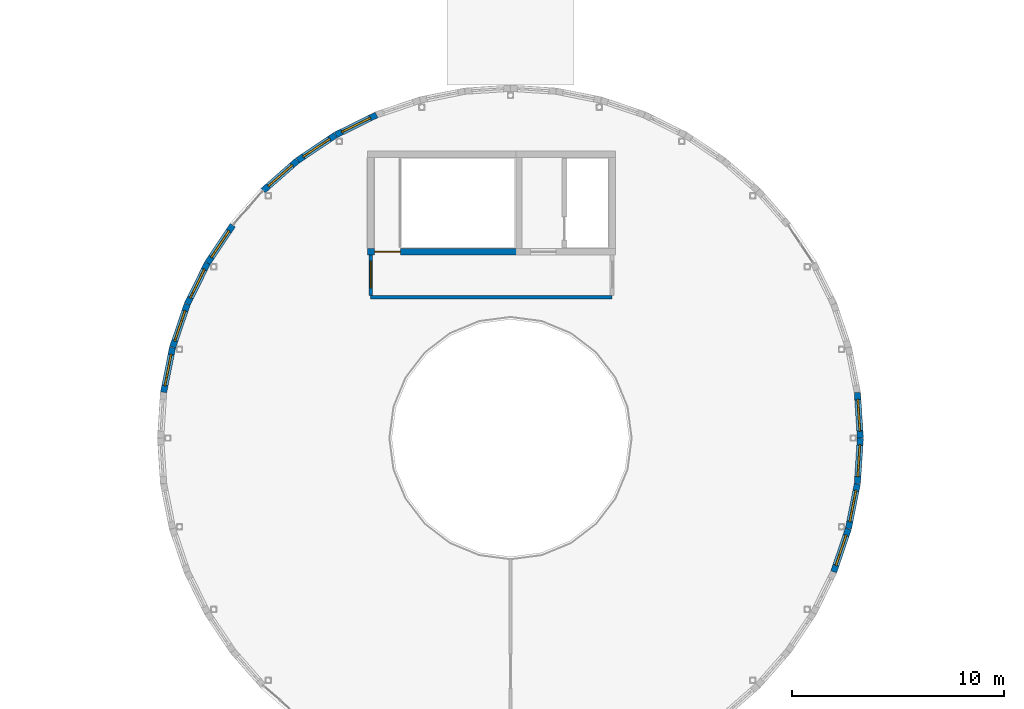
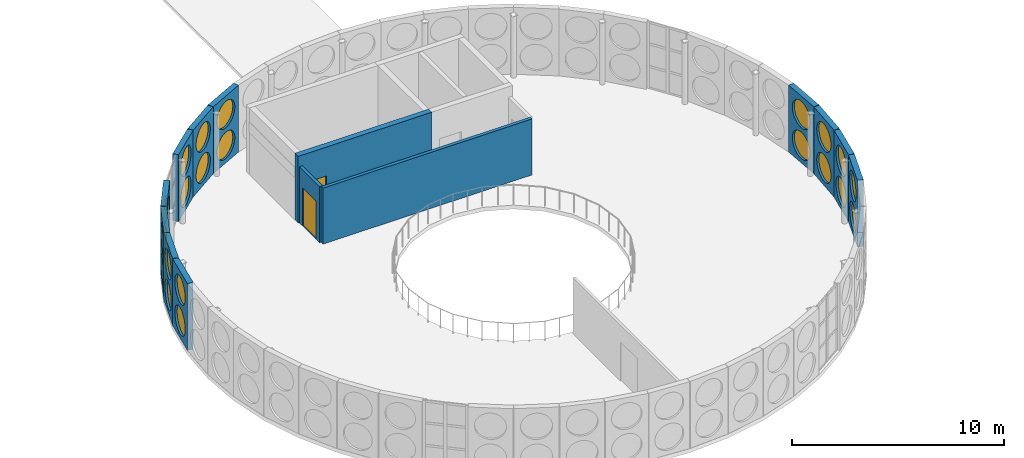
# One storey, part 87 of 114: 22 windows, 14 walls, 2 doors, 24 openings.
"""IFC4 building model written with IfcOpenShell, lengths in metres."""

import ifcopenshell
import ifcopenshell.guid

model = None  # the IFC model being written
_history = None  # IfcOwnerHistory: only IFC2X3 demands one
_inside = {}  # id of a spatial element -> (the spatial element, [elements in it])
_under = {}  # id of a project, library or spatial element -> (it, [spatial elements below it])
_declared = {}  # id of a project -> (the project, [libraries it declares])
_typed = {}  # id of a type object -> (the type object, [elements of that type])
_made_of = {}  # id of a material, layer set ... -> (it, [elements and type objects made of it])


def new_model(schema):
    """Start an empty IFC model of exactly this schema.

    Asked for "IFC4X3", IfcOpenShell would pick the latest addendum, in which some entities
    have other attributes; the version numbers below select the first issue.
    IFC2X3 requires an IfcOwnerHistory on every rooted entity: one is made here for all.
    """
    global model, _history
    if schema == "IFC4X3":
        model = ifcopenshell.file(schema_version=(4, 3, 0, 0))
    else:
        model = ifcopenshell.file(schema=schema)
    _inside.clear()
    _under.clear()
    _declared.clear()
    _typed.clear()
    _made_of.clear()
    _history = None
    if model.schema == "IFC2X3":
        org = make("IfcOrganization", Name="unknown")
        user = make(
            "IfcPersonAndOrganization",
            ThePerson=make("IfcPerson", FamilyName="unknown"),
            TheOrganization=org,
        )
        app = make(
            "IfcApplication",
            ApplicationDeveloper=org,
            Version="unknown",
            ApplicationFullName="unknown",
            ApplicationIdentifier="unknown",
        )
        _history = make(
            "IfcOwnerHistory",
            OwningUser=user,
            OwningApplication=app,
            ChangeAction="ADDED",
            CreationDate=0,
        )
    return model


def make(cls, **values):
    """One entity of the class cls with the attributes given. An attribute that is None is left unset."""
    return model.create_entity(
        cls, **{name: value for name, value in values.items() if value is not None}
    )


def rooted(cls, **values):
    """An entity with a GlobalId (a new one), such as an element, a storey or a relation."""
    return make(cls, GlobalId=ifcopenshell.guid.new(), OwnerHistory=_history, **values)


def si_unit(unit_type, name, prefix=None):
    """IfcSIUnit, for example si_unit("LENGTHUNIT", "METRE", prefix="MILLI")."""
    return make("IfcSIUnit", UnitType=unit_type, Prefix=prefix, Name=name)


def assignment(units):
    """IfcUnitAssignment: the units of a project."""
    return None if units is None else make("IfcUnitAssignment", Units=units)


def point(xyz):
    """IfcCartesianPoint."""
    return None if xyz is None else make("IfcCartesianPoint", Coordinates=xyz)


def direction(xyz):
    """IfcDirection."""
    return None if xyz is None else make("IfcDirection", DirectionRatios=xyz)


def frame(location, z_axis=None, x_axis=None):
    """IfcAxis2Placement3D, a coordinate frame: its origin and axes. An axis left out is left unset."""
    return make(
        "IfcAxis2Placement3D",
        Location=point(location),
        Axis=direction(z_axis),
        RefDirection=direction(x_axis),
    )


def frame_2d(location, x_axis=None):
    """IfcAxis2Placement2D, a coordinate frame in the plane: its origin and x axis."""
    return make(
        "IfcAxis2Placement2D", Location=point(location), RefDirection=direction(x_axis)
    )


def origin():
    """The frame at (0, 0, 0) with its axes left unset."""
    return frame((0.0, 0.0, 0.0))


def place(relative_to, where):
    """IfcLocalPlacement: puts the frame where relative to a parent placement (None: the world)."""
    return make(
        "IfcLocalPlacement", PlacementRelTo=relative_to, RelativePlacement=where
    )


def context(
    kind, dimensions, precision=None, world=None, true_north=None, identifier=None
):
    """IfcGeometricRepresentationContext, for example the 3D "Model" context."""
    return make(
        "IfcGeometricRepresentationContext",
        ContextIdentifier=identifier,
        ContextType=kind,
        CoordinateSpaceDimension=dimensions,
        Precision=precision,
        WorldCoordinateSystem=world,
        TrueNorth=true_north,
    )


def subcontext(parent, identifier, kind, view, scale=None):
    """IfcGeometricRepresentationSubContext, for example "Body" below "Model"."""
    return make(
        "IfcGeometricRepresentationSubContext",
        ContextIdentifier=identifier,
        ContextType=kind,
        ParentContext=parent,
        TargetScale=scale,
        TargetView=view,
    )


def project(units=None, contexts=None):
    """IfcProject with its units and contexts."""
    return rooted(
        "IfcProject",
        Name="project",
        RepresentationContexts=contexts,
        UnitsInContext=assignment(units),
    )


def spatial(cls, under=None, at=None, **own):
    """A site, building, storey or space (cls), placed at a placement, below another one or the project."""
    s = rooted(cls, ObjectPlacement=at, **own)
    if under is not None:
        _under.setdefault(under.id(), (under, []))[1].append(s)
    return s


def profile(cls, at=None, kind="AREA", **sizes):
    """A parametric profile (cls). Its sizes go by their IFC names, for example OverallWidth=200.0."""
    return make(cls, ProfileType=kind, Position=at, **sizes)


def rectangle(**sizes):
    """IfcRectangleProfileDef."""
    return profile("IfcRectangleProfileDef", **sizes)


def circle(**sizes):
    """IfcCircleProfileDef."""
    return profile("IfcCircleProfileDef", **sizes)


def extrude(swept, where, along, depth):
    """IfcExtrudedAreaSolid: the profile swept, set in the frame where, extruded along a direction by depth."""
    return make(
        "IfcExtrudedAreaSolid",
        SweptArea=swept,
        Position=where,
        ExtrudedDirection=direction(along),
        Depth=depth,
    )


def shape(context_of_items, identifier, shape_type, items):
    """IfcShapeRepresentation: the items that make up one representation, for example the "Body"."""
    return make(
        "IfcShapeRepresentation",
        ContextOfItems=context_of_items,
        RepresentationIdentifier=identifier,
        RepresentationType=shape_type,
        Items=items,
    )


def material(Name=None, Category=None):
    """IfcMaterial."""
    return make("IfcMaterial", Name=Name, Category=Category)


def layer(
    of_material, thickness, ventilated=None, Name=None, Category=None, Priority=None
):
    """IfcMaterialLayer: one layer of a wall or slab, of a material (None: an air gap)."""
    return make(
        "IfcMaterialLayer",
        Material=of_material,
        LayerThickness=thickness,
        IsVentilated=ventilated,
        Name=Name,
        Category=Category,
        Priority=Priority,
    )


def layer_set(layers, Name=None):
    """IfcMaterialLayerSet."""
    return make("IfcMaterialLayerSet", MaterialLayers=layers, LayerSetName=Name)


def made_of(thing, what):
    """Note that an element or type object is made of a material, layer set ...; save() writes the relation."""
    if what is not None:
        _made_of.setdefault(what.id(), (what, []))[1].append(thing)
    return thing


def type_object(cls, material=None, **own):
    """A type object (cls), such as IfcWallType, which elements share."""
    return made_of(rooted(cls, **own), material)


def element(
    cls,
    number,
    at=None,
    inside=None,
    cuts=None,
    type_object=None,
    material=None,
    context=None,
    identifier="Body",
    shape_type=None,
    held_by="IfcProductDefinitionShape",
    body=None,
    shapes=None,
    **own,
):
    """One element of the class cls, such as IfcWall. Its Tag is "e" and its number.

    at: its placement. inside: the storey or other place that contains it. cuts: it is an
    opening in that element (IfcRelVoidsElement). A single representation is given by context,
    identifier, shape_type and body (its items); several are given by shapes. held_by: the class
    of the entity that holds the representations. save() writes the other relations.
    """
    e = rooted(cls, Tag="e%d" % number, ObjectPlacement=at, **own)
    if body is not None:
        shapes = [shape(context, identifier, shape_type, body)]
    if shapes is not None:
        e.Representation = make(held_by, Representations=shapes)
    if inside is not None:
        _inside.setdefault(inside.id(), (inside, []))[1].append(e)
    if cuts is not None:
        rooted(
            "IfcRelVoidsElement", RelatingBuildingElement=cuts, RelatedOpeningElement=e
        )
    if type_object is not None:
        _typed.setdefault(type_object.id(), (type_object, []))[1].append(e)
    return made_of(e, material)


def fill(opening, filler):
    """IfcRelFillsElement: the door or window that sits in an opening."""
    return rooted(
        "IfcRelFillsElement",
        RelatingOpeningElement=opening,
        RelatedBuildingElement=filler,
    )


def aggregate(whole, parts):
    """IfcRelAggregates: a whole, such as a stair, and the parts it consists of."""
    return rooted("IfcRelAggregates", RelatingObject=whole, RelatedObjects=parts)


def save(model, path):
    """Write the relations noted so far, then the file.

    IfcRelAggregates (storeys below a building ...), IfcRelContainedInSpatialStructure (elements
    in a storey), IfcRelDefinesByType, IfcRelAssociatesMaterial and IfcRelDeclares: one each for
    every whole, place, type object, material and project.
    """
    for whole, parts in _under.values():
        aggregate(whole, parts)
    for where, things in _inside.values():
        rooted(
            "IfcRelContainedInSpatialStructure",
            RelatedElements=things,
            RelatingStructure=where,
        )
    for kind, things in _typed.values():
        rooted("IfcRelDefinesByType", RelatedObjects=things, RelatingType=kind)
    for what, things in _made_of.values():
        rooted("IfcRelAssociatesMaterial", RelatedObjects=things, RelatingMaterial=what)
    for by, libraries in _declared.values():
        rooted("IfcRelDeclares", RelatingContext=by, RelatedDefinitions=libraries)
    model.write(path)


model = new_model("IFC4")

# Units and contexts
model_context = context("Model", 3, precision=1e-05, world=origin(), true_north=direction((0.0, 1.0)))
body_context = subcontext(model_context, "Body", "Model", "MODEL_VIEW")
ifc_project = project(units=[si_unit("LENGTHUNIT", "METRE"), si_unit("AREAUNIT", "SQUARE_METRE"), si_unit("VOLUMEUNIT", "CUBIC_METRE"), si_unit("PLANEANGLEUNIT", "RADIAN"), si_unit("MASSUNIT", "GRAM", prefix="KILO")], contexts=[model_context])

# Site, building, storey
site_placement = place(None, origin())
site = spatial("IfcSite", under=ifc_project, at=site_placement, CompositionType="ELEMENT")
building_placement = place(site_placement, origin())
building = spatial("IfcBuilding", under=site, at=building_placement, Name="Montecoro Central Library", CompositionType="ELEMENT")
storey_placement = place(building_placement, frame((0.0, 0.0, 13.260009765625)))
storey = spatial("IfcBuildingStorey", under=building, at=storey_placement, Name="L03", CompositionType="ELEMENT", Elevation=13.260009765625)

# Wall, openings, windows
ifc_material_1 = material(Name="Travertine Roman Stone and concrete C35/45", Category="masonry")
ifc_layer_1 = layer(ifc_material_1, 0.294921875)
ifc_layer_set_1 = layer_set([ifc_layer_1], Name="Travertine Roman Stone and concrete C35/45")
wall_type_1 = type_object("IfcWallType", Name="EW-DRM-295", PredefinedType="SOLIDWALL", material=ifc_layer_set_1)
wall_1_placement = place(storey_placement, frame((108.118896484375, 35.407958984375, 0.0), z_axis=(0.0, 0.0, 1.0), x_axis=(-0.064773567518, 0.997899987449, 0.0)))
wall_1 = element("IfcWall", 1, at=wall_1_placement, inside=storey, type_object=wall_type_1, Name="V1-L03-EW-01", PredefinedType="SOLIDWALL", context=body_context, shape_type="SweptSolid", body=[
    extrude(rectangle(XDim=2.14453125, YDim=0.294921875, at=frame_2d((1.072265625, 0.0))), origin(), (0.0, 0.0, 1.0), 3.85498046875),
])
opening_1_placement = place(wall_1_placement, frame((0.31201171875, 0.0, 0.25)))
opening_1 = element("IfcOpeningElement", 2, at=opening_1_placement, cuts=wall_1, Name="Opening WP-05", PredefinedType="OPENING", context=body_context, shape_type="SweptSolid", body=[
    extrude(circle(Radius=0.760009765625, at=frame_2d((0.760009765625, 0.760009765625))), frame((0.0, 0.157470703125, 0.0), z_axis=(0.0, -1.0, 0.0), x_axis=(1.0, 0.0, 0.0)), (0.0, 0.0, 1.0), 0.31494140625),
])
opening_2_placement = place(wall_1_placement, frame((0.31201171875, 0.0, 2.030029296875)))
opening_2 = element("IfcOpeningElement", 3, at=opening_2_placement, cuts=wall_1, Name="Opening WP-06", PredefinedType="OPENING", context=body_context, shape_type="SweptSolid", body=[
    extrude(circle(Radius=0.760009765625, at=frame_2d((0.760009765625, 0.760009765625))), frame((0.0, 0.157470703125, 0.0), z_axis=(0.0, -1.0, 0.0), x_axis=(1.0, 0.0, 0.0)), (0.0, 0.0, 1.0), 0.31494140625),
])
ifc_material_2 = material(Name="Clear sky-blue low-E laminated glazing", Category="glass")
window_type_1 = type_object("IfcWindowType", Name="WN-POR-CLR-152", PartitioningType="SINGLE_PANEL", PredefinedType="WINDOW", material=ifc_material_2)
window_1_placement = place(opening_1_placement, origin())
window_1 = element("IfcWindow", 4, at=window_1_placement, inside=storey, type_object=window_type_1, Name="V1-L03-WP-01-1", OverallHeight=1.52001953125, OverallWidth=1.52001953125, PartitioningType="SINGLE_PANEL", PredefinedType="WINDOW", context=body_context, shape_type="SweptSolid", body=[
    extrude(circle(Radius=0.760009765625, at=frame_2d((0.760009765625, 0.760009765625))), frame((0.0, 0.030029296875, 0.0), z_axis=(0.0, -1.0, 0.0), x_axis=(1.0, 0.0, 0.0)), (0.0, 0.0, 1.0), 0.06005859375),
])
fill(opening_1, window_1)
ifc_material_3 = material(Name="Frosted pearl-white ceramic-fritted glazing", Category="glass")
window_type_2 = type_object("IfcWindowType", Name="WN-POR-FRT-152", PartitioningType="SINGLE_PANEL", PredefinedType="WINDOW", material=ifc_material_3)
window_2_placement = place(opening_2_placement, origin())
window_2 = element("IfcWindow", 5, at=window_2_placement, inside=storey, type_object=window_type_2, Name="V1-L03-WP-01-2", OverallHeight=1.52001953125, OverallWidth=1.52001953125, PartitioningType="SINGLE_PANEL", PredefinedType="WINDOW", context=body_context, shape_type="SweptSolid", body=[
    extrude(circle(Radius=0.760009765625, at=frame_2d((0.760009765625, 0.760009765625))), frame((0.0, 0.030029296875, 0.0), z_axis=(0.0, -1.0, 0.0), x_axis=(1.0, 0.0, 0.0)), (0.0, 0.0, 1.0), 0.06005859375),
])
fill(opening_2, window_2)

wall_2_placement = place(storey_placement, frame((85.27099609375, 50.657958984375, 0.0), z_axis=(0.0, 0.0, 1.0), x_axis=(-0.897210232885, -0.441603666205, 0.0)))
wall_2 = element("IfcWall", 6, at=wall_2_placement, inside=storey, type_object=wall_type_1, Name="V1-L03-EW-16", PredefinedType="SOLIDWALL", context=body_context, shape_type="SweptSolid", body=[
    extrude(rectangle(XDim=2.14453125, YDim=0.294921875, at=frame_2d((1.072265625, 0.0))), origin(), (0.0, 0.0, 1.0), 3.85498046875),
])
opening_3_placement = place(wall_2_placement, frame((0.31201171875, 0.0, 0.25)))
opening_3 = element("IfcOpeningElement", 7, at=opening_3_placement, cuts=wall_2, Name="Opening WP-06", PredefinedType="OPENING", context=body_context, shape_type="SweptSolid", body=[
    extrude(circle(Radius=0.760009765625, at=frame_2d((0.760009765625, 0.760009765625))), frame((0.0, 0.157470703125, 0.0), z_axis=(0.0, -1.0, 0.0), x_axis=(1.0, 0.0, 0.0)), (0.0, 0.0, 1.0), 0.31494140625),
])
opening_4_placement = place(wall_2_placement, frame((0.31201171875, 0.0, 2.030029296875)))
opening_4 = element("IfcOpeningElement", 8, at=opening_4_placement, cuts=wall_2, Name="Opening WP-05", PredefinedType="OPENING", context=body_context, shape_type="SweptSolid", body=[
    extrude(circle(Radius=0.760009765625, at=frame_2d((0.760009765625, 0.760009765625))), frame((0.0, 0.157470703125, 0.0), z_axis=(0.0, -1.0, 0.0), x_axis=(1.0, 0.0, 0.0)), (0.0, 0.0, 1.0), 0.31494140625),
])
window_3_placement = place(opening_4_placement, origin())
window_3 = element("IfcWindow", 9, at=window_3_placement, inside=storey, type_object=window_type_1, Name="V1-L03-WP-16-2", OverallHeight=1.52001953125, OverallWidth=1.52001953125, PartitioningType="SINGLE_PANEL", PredefinedType="WINDOW", context=body_context, shape_type="SweptSolid", body=[
    extrude(circle(Radius=0.760009765625, at=frame_2d((0.760009765625, 0.760009765625))), frame((0.0, 0.030029296875, 0.0), z_axis=(0.0, -1.0, 0.0), x_axis=(1.0, 0.0, 0.0)), (0.0, 0.0, 1.0), 0.06005859375),
])
fill(opening_4, window_3)
window_4_placement = place(opening_3_placement, origin())
window_4 = element("IfcWindow", 10, at=window_4_placement, inside=storey, type_object=window_type_2, Name="V1-L03-WP-16-1", OverallHeight=1.52001953125, OverallWidth=1.52001953125, PartitioningType="SINGLE_PANEL", PredefinedType="WINDOW", context=body_context, shape_type="SweptSolid", body=[
    extrude(circle(Radius=0.760009765625, at=frame_2d((0.760009765625, 0.760009765625))), frame((0.0, 0.030029296875, 0.0), z_axis=(0.0, -1.0, 0.0), x_axis=(1.0, 0.0, 0.0)), (0.0, 0.0, 1.0), 0.06005859375),
])
fill(opening_3, window_4)

wall_3_placement = place(storey_placement, frame((83.3330078125, 49.702880859375, 0.0), z_axis=(0.0, 0.0, 1.0), x_axis=(-0.831138710759, -0.556065143197, 0.0)))
wall_3 = element("IfcWall", 11, at=wall_3_placement, inside=storey, type_object=wall_type_1, Name="V1-L03-EW-17", PredefinedType="SOLIDWALL", context=body_context, shape_type="SweptSolid", body=[
    extrude(rectangle(XDim=2.145263671875, YDim=0.294921875, at=frame_2d((1.07275390625, 0.0))), origin(), (0.0, 0.0, 1.0), 3.85498046875),
])
opening_5_placement = place(wall_3_placement, frame((0.31298828125, 0.0, 0.25)))
opening_5 = element("IfcOpeningElement", 12, at=opening_5_placement, cuts=wall_3, Name="Opening WP-05", PredefinedType="OPENING", context=body_context, shape_type="SweptSolid", body=[
    extrude(circle(Radius=0.760009765625, at=frame_2d((0.760009765625, 0.760009765625))), frame((0.0, 0.157470703125, 0.0), z_axis=(0.0, -1.0, 0.0), x_axis=(1.0, 0.0, 0.0)), (0.0, 0.0, 1.0), 0.31494140625),
])
opening_6_placement = place(wall_3_placement, frame((0.31298828125, 0.0, 2.030029296875)))
opening_6 = element("IfcOpeningElement", 13, at=opening_6_placement, cuts=wall_3, Name="Opening WP-06", PredefinedType="OPENING", context=body_context, shape_type="SweptSolid", body=[
    extrude(circle(Radius=0.760009765625, at=frame_2d((0.760009765625, 0.760009765625))), frame((0.0, 0.157470703125, 0.0), z_axis=(0.0, -1.0, 0.0), x_axis=(1.0, 0.0, 0.0)), (0.0, 0.0, 1.0), 0.31494140625),
])
window_5_placement = place(opening_5_placement, origin())
window_5 = element("IfcWindow", 14, at=window_5_placement, inside=storey, type_object=window_type_1, Name="V1-L03-WP-17-1", OverallHeight=1.52001953125, OverallWidth=1.52001953125, PartitioningType="SINGLE_PANEL", PredefinedType="WINDOW", context=body_context, shape_type="SweptSolid", body=[
    extrude(circle(Radius=0.760009765625, at=frame_2d((0.760009765625, 0.760009765625))), frame((0.0, 0.030029296875, 0.0), z_axis=(0.0, -1.0, 0.0), x_axis=(1.0, 0.0, 0.0)), (0.0, 0.0, 1.0), 0.06005859375),
])
fill(opening_5, window_5)
window_6_placement = place(opening_6_placement, origin())
window_6 = element("IfcWindow", 15, at=window_6_placement, inside=storey, type_object=window_type_2, Name="V1-L03-WP-17-2", OverallHeight=1.52001953125, OverallWidth=1.52001953125, PartitioningType="SINGLE_PANEL", PredefinedType="WINDOW", context=body_context, shape_type="SweptSolid", body=[
    extrude(circle(Radius=0.760009765625, at=frame_2d((0.760009765625, 0.760009765625))), frame((0.0, 0.030029296875, 0.0), z_axis=(0.0, -1.0, 0.0), x_axis=(1.0, 0.0, 0.0)), (0.0, 0.0, 1.0), 0.06005859375),
])
fill(opening_6, window_6)

wall_4_placement = place(storey_placement, frame((81.537109375, 48.5009765625, 0.0), z_axis=(0.0, 0.0, 1.0), x_axis=(-0.751539314958, -0.659688303725, 0.0)))
wall_4 = element("IfcWall", 16, at=wall_4_placement, inside=storey, type_object=wall_type_1, Name="V1-L03-EW-18", PredefinedType="SOLIDWALL", context=body_context, shape_type="SweptSolid", body=[
    extrude(rectangle(XDim=2.14501953125, YDim=0.294921875, at=frame_2d((1.072509765625, 0.0))), origin(), (0.0, 0.0, 1.0), 3.85498046875),
])
opening_7_placement = place(wall_4_placement, frame((0.31201171875, 0.0, 0.25)))
opening_7 = element("IfcOpeningElement", 17, at=opening_7_placement, cuts=wall_4, Name="Opening WP-06", PredefinedType="OPENING", context=body_context, shape_type="SweptSolid", body=[
    extrude(circle(Radius=0.760009765625, at=frame_2d((0.760009765625, 0.760009765625))), frame((0.0, 0.157470703125, 0.0), z_axis=(0.0, -1.0, 0.0), x_axis=(1.0, 0.0, 0.0)), (0.0, 0.0, 1.0), 0.31494140625),
])
opening_8_placement = place(wall_4_placement, frame((0.31201171875, 0.0, 2.030029296875)))
opening_8 = element("IfcOpeningElement", 18, at=opening_8_placement, cuts=wall_4, Name="Opening WP-05", PredefinedType="OPENING", context=body_context, shape_type="SweptSolid", body=[
    extrude(circle(Radius=0.760009765625, at=frame_2d((0.760009765625, 0.760009765625))), frame((0.0, 0.157470703125, 0.0), z_axis=(0.0, -1.0, 0.0), x_axis=(1.0, 0.0, 0.0)), (0.0, 0.0, 1.0), 0.31494140625),
])
window_7_placement = place(opening_8_placement, origin())
window_7 = element("IfcWindow", 19, at=window_7_placement, inside=storey, type_object=window_type_1, Name="V1-L03-WP-18-2", OverallHeight=1.52001953125, OverallWidth=1.52001953125, PartitioningType="SINGLE_PANEL", PredefinedType="WINDOW", context=body_context, shape_type="SweptSolid", body=[
    extrude(circle(Radius=0.760009765625, at=frame_2d((0.760009765625, 0.760009765625))), frame((0.0, 0.030029296875, 0.0), z_axis=(0.0, -1.0, 0.0), x_axis=(1.0, 0.0, 0.0)), (0.0, 0.0, 1.0), 0.06005859375),
])
fill(opening_8, window_7)
window_8_placement = place(opening_7_placement, origin())
window_8 = element("IfcWindow", 20, at=window_8_placement, inside=storey, type_object=window_type_2, Name="V1-L03-WP-18-1", OverallHeight=1.52001953125, OverallWidth=1.52001953125, PartitioningType="SINGLE_PANEL", PredefinedType="WINDOW", context=body_context, shape_type="SweptSolid", body=[
    extrude(circle(Radius=0.760009765625, at=frame_2d((0.760009765625, 0.760009765625))), frame((0.0, 0.030029296875, 0.0), z_axis=(0.0, -1.0, 0.0), x_axis=(1.0, 0.0, 0.0)), (0.0, 0.0, 1.0), 0.06005859375),
])
fill(opening_7, window_8)

wall_5_placement = place(storey_placement, frame((78.489990234375, 45.449951171875, 0.0), z_axis=(0.0, 0.0, 1.0), x_axis=(-0.556065143197, -0.831138710759, 0.0)))
wall_5 = element("IfcWall", 21, at=wall_5_placement, inside=storey, type_object=wall_type_1, Name="V1-L03-EW-20", PredefinedType="SOLIDWALL", context=body_context, shape_type="SweptSolid", body=[
    extrude(rectangle(XDim=2.145263671875, YDim=0.294921875, at=frame_2d((1.07275390625, 0.0))), origin(), (0.0, 0.0, 1.0), 3.85498046875),
])
opening_9_placement = place(wall_5_placement, frame((0.31298828125, 0.0, 0.25)))
opening_9 = element("IfcOpeningElement", 22, at=opening_9_placement, cuts=wall_5, Name="Opening WP-06", PredefinedType="OPENING", context=body_context, shape_type="SweptSolid", body=[
    extrude(circle(Radius=0.760009765625, at=frame_2d((0.760009765625, 0.760009765625))), frame((0.0, 0.157470703125, 0.0), z_axis=(0.0, -1.0, 0.0), x_axis=(1.0, 0.0, 0.0)), (0.0, 0.0, 1.0), 0.31494140625),
])
opening_10_placement = place(wall_5_placement, frame((0.31298828125, 0.0, 2.030029296875)))
opening_10 = element("IfcOpeningElement", 23, at=opening_10_placement, cuts=wall_5, Name="Opening WP-05", PredefinedType="OPENING", context=body_context, shape_type="SweptSolid", body=[
    extrude(circle(Radius=0.760009765625, at=frame_2d((0.760009765625, 0.760009765625))), frame((0.0, 0.157470703125, 0.0), z_axis=(0.0, -1.0, 0.0), x_axis=(1.0, 0.0, 0.0)), (0.0, 0.0, 1.0), 0.31494140625),
])
window_9_placement = place(opening_10_placement, origin())
window_9 = element("IfcWindow", 24, at=window_9_placement, inside=storey, type_object=window_type_1, Name="V1-L03-WP-20-2", OverallHeight=1.52001953125, OverallWidth=1.52001953125, PartitioningType="SINGLE_PANEL", PredefinedType="WINDOW", context=body_context, shape_type="SweptSolid", body=[
    extrude(circle(Radius=0.760009765625, at=frame_2d((0.760009765625, 0.760009765625))), frame((0.0, 0.030029296875, 0.0), z_axis=(0.0, -1.0, 0.0), x_axis=(1.0, 0.0, 0.0)), (0.0, 0.0, 1.0), 0.06005859375),
])
fill(opening_10, window_9)
window_10_placement = place(opening_9_placement, origin())
window_10 = element("IfcWindow", 25, at=window_10_placement, inside=storey, type_object=window_type_2, Name="V1-L03-WP-20-1", OverallHeight=1.52001953125, OverallWidth=1.52001953125, PartitioningType="SINGLE_PANEL", PredefinedType="WINDOW", context=body_context, shape_type="SweptSolid", body=[
    extrude(circle(Radius=0.760009765625, at=frame_2d((0.760009765625, 0.760009765625))), frame((0.0, 0.030029296875, 0.0), z_axis=(0.0, -1.0, 0.0), x_axis=(1.0, 0.0, 0.0)), (0.0, 0.0, 1.0), 0.06005859375),
])
fill(opening_9, window_10)

wall_6_placement = place(storey_placement, frame((77.2890625, 43.653076171875, 0.0), z_axis=(0.0, 0.0, 1.0), x_axis=(-0.441603666205, -0.897210232885, 0.0)))
wall_6 = element("IfcWall", 26, at=wall_6_placement, inside=storey, type_object=wall_type_1, Name="V1-L03-EW-21", PredefinedType="SOLIDWALL", context=body_context, shape_type="SweptSolid", body=[
    extrude(rectangle(XDim=2.14453125, YDim=0.294921875, at=frame_2d((1.072265625, 0.0))), origin(), (0.0, 0.0, 1.0), 3.85498046875),
])
opening_11_placement = place(wall_6_placement, frame((0.31201171875, 0.0, 0.25)))
opening_11 = element("IfcOpeningElement", 27, at=opening_11_placement, cuts=wall_6, Name="Opening WP-05", PredefinedType="OPENING", context=body_context, shape_type="SweptSolid", body=[
    extrude(circle(Radius=0.760009765625, at=frame_2d((0.760009765625, 0.760009765625))), frame((0.0, 0.157470703125, 0.0), z_axis=(0.0, -1.0, 0.0), x_axis=(1.0, 0.0, 0.0)), (0.0, 0.0, 1.0), 0.31494140625),
])
opening_12_placement = place(wall_6_placement, frame((0.31201171875, 0.0, 2.030029296875)))
opening_12 = element("IfcOpeningElement", 28, at=opening_12_placement, cuts=wall_6, Name="Opening WP-06", PredefinedType="OPENING", context=body_context, shape_type="SweptSolid", body=[
    extrude(circle(Radius=0.760009765625, at=frame_2d((0.760009765625, 0.760009765625))), frame((0.0, 0.157470703125, 0.0), z_axis=(0.0, -1.0, 0.0), x_axis=(1.0, 0.0, 0.0)), (0.0, 0.0, 1.0), 0.31494140625),
])
window_11_placement = place(opening_11_placement, origin())
window_11 = element("IfcWindow", 29, at=window_11_placement, inside=storey, type_object=window_type_1, Name="V1-L03-WP-21-1", OverallHeight=1.52001953125, OverallWidth=1.52001953125, PartitioningType="SINGLE_PANEL", PredefinedType="WINDOW", context=body_context, shape_type="SweptSolid", body=[
    extrude(circle(Radius=0.760009765625, at=frame_2d((0.760009765625, 0.760009765625))), frame((0.0, 0.030029296875, 0.0), z_axis=(0.0, -1.0, 0.0), x_axis=(1.0, 0.0, 0.0)), (0.0, 0.0, 1.0), 0.06005859375),
])
fill(opening_11, window_11)
window_12_placement = place(opening_12_placement, origin())
window_12 = element("IfcWindow", 30, at=window_12_placement, inside=storey, type_object=window_type_2, Name="V1-L03-WP-21-2", OverallHeight=1.52001953125, OverallWidth=1.52001953125, PartitioningType="SINGLE_PANEL", PredefinedType="WINDOW", context=body_context, shape_type="SweptSolid", body=[
    extrude(circle(Radius=0.760009765625, at=frame_2d((0.760009765625, 0.760009765625))), frame((0.0, 0.030029296875, 0.0), z_axis=(0.0, -1.0, 0.0), x_axis=(1.0, 0.0, 0.0)), (0.0, 0.0, 1.0), 0.06005859375),
])
fill(opening_12, window_12)

wall_7_placement = place(storey_placement, frame((76.3349609375, 41.714111328125, 0.0), z_axis=(0.0, 0.0, 1.0), x_axis=(-0.321382058047, -0.946949614692, 0.0)))
wall_7 = element("IfcWall", 31, at=wall_7_placement, inside=storey, type_object=wall_type_1, Name="V1-L03-EW-22", PredefinedType="SOLIDWALL", context=body_context, shape_type="SweptSolid", body=[
    extrude(rectangle(XDim=2.143798828125, YDim=0.294921875, at=frame_2d((1.07177734375, 0.0))), origin(), (0.0, 0.0, 1.0), 3.85498046875),
])
opening_13_placement = place(wall_7_placement, frame((0.31201171875, 0.0, 0.25)))
opening_13 = element("IfcOpeningElement", 32, at=opening_13_placement, cuts=wall_7, Name="Opening WP-06", PredefinedType="OPENING", context=body_context, shape_type="SweptSolid", body=[
    extrude(circle(Radius=0.760009765625, at=frame_2d((0.760009765625, 0.760009765625))), frame((0.0, 0.157470703125, 0.0), z_axis=(0.0, -1.0, 0.0), x_axis=(1.0, 0.0, 0.0)), (0.0, 0.0, 1.0), 0.31494140625),
])
opening_14_placement = place(wall_7_placement, frame((0.31201171875, 0.0, 2.030029296875)))
opening_14 = element("IfcOpeningElement", 33, at=opening_14_placement, cuts=wall_7, Name="Opening WP-05", PredefinedType="OPENING", context=body_context, shape_type="SweptSolid", body=[
    extrude(circle(Radius=0.760009765625, at=frame_2d((0.760009765625, 0.760009765625))), frame((0.0, 0.157470703125, 0.0), z_axis=(0.0, -1.0, 0.0), x_axis=(1.0, 0.0, 0.0)), (0.0, 0.0, 1.0), 0.31494140625),
])
window_13_placement = place(opening_14_placement, origin())
window_13 = element("IfcWindow", 34, at=window_13_placement, inside=storey, type_object=window_type_1, Name="V1-L03-WP-22-2", OverallHeight=1.52001953125, OverallWidth=1.52001953125, PartitioningType="SINGLE_PANEL", PredefinedType="WINDOW", context=body_context, shape_type="SweptSolid", body=[
    extrude(circle(Radius=0.760009765625, at=frame_2d((0.760009765625, 0.760009765625))), frame((0.0, 0.030029296875, 0.0), z_axis=(0.0, -1.0, 0.0), x_axis=(1.0, 0.0, 0.0)), (0.0, 0.0, 1.0), 0.06005859375),
])
fill(opening_14, window_13)
window_14_placement = place(opening_13_placement, origin())
window_14 = element("IfcWindow", 35, at=window_14_placement, inside=storey, type_object=window_type_2, Name="V1-L03-WP-22-1", OverallHeight=1.52001953125, OverallWidth=1.52001953125, PartitioningType="SINGLE_PANEL", PredefinedType="WINDOW", context=body_context, shape_type="SweptSolid", body=[
    extrude(circle(Radius=0.760009765625, at=frame_2d((0.760009765625, 0.760009765625))), frame((0.0, 0.030029296875, 0.0), z_axis=(0.0, -1.0, 0.0), x_axis=(1.0, 0.0, 0.0)), (0.0, 0.0, 1.0), 0.06005859375),
])
fill(opening_13, window_14)

wall_8_placement = place(storey_placement, frame((75.64111328125, 39.66796875, 0.0), z_axis=(0.0, 0.0, 1.0), x_axis=(-0.194956014446, -0.98081198628, 0.0)))
wall_8 = element("IfcWall", 36, at=wall_8_placement, inside=storey, type_object=wall_type_1, Name="V1-L03-EW-23", PredefinedType="SOLIDWALL", context=body_context, shape_type="SweptSolid", body=[
    extrude(rectangle(XDim=2.145263671875, YDim=0.294921875, at=frame_2d((1.07275390625, 0.0))), origin(), (0.0, 0.0, 1.0), 3.85498046875),
])
opening_15_placement = place(wall_8_placement, frame((0.31298828125, 0.0, 0.25)))
opening_15 = element("IfcOpeningElement", 37, at=opening_15_placement, cuts=wall_8, Name="Opening WP-05", PredefinedType="OPENING", context=body_context, shape_type="SweptSolid", body=[
    extrude(circle(Radius=0.760009765625, at=frame_2d((0.760009765625, 0.760009765625))), frame((0.0, 0.157470703125, 0.0), z_axis=(0.0, -1.0, 0.0), x_axis=(1.0, 0.0, 0.0)), (0.0, 0.0, 1.0), 0.31494140625),
])
opening_16_placement = place(wall_8_placement, frame((0.31298828125, 0.0, 2.030029296875)))
opening_16 = element("IfcOpeningElement", 38, at=opening_16_placement, cuts=wall_8, Name="Opening WP-06", PredefinedType="OPENING", context=body_context, shape_type="SweptSolid", body=[
    extrude(circle(Radius=0.760009765625, at=frame_2d((0.760009765625, 0.760009765625))), frame((0.0, 0.157470703125, 0.0), z_axis=(0.0, -1.0, 0.0), x_axis=(1.0, 0.0, 0.0)), (0.0, 0.0, 1.0), 0.31494140625),
])
window_15_placement = place(opening_15_placement, origin())
window_15 = element("IfcWindow", 39, at=window_15_placement, inside=storey, type_object=window_type_1, Name="V1-L03-WP-23-1", OverallHeight=1.52001953125, OverallWidth=1.52001953125, PartitioningType="SINGLE_PANEL", PredefinedType="WINDOW", context=body_context, shape_type="SweptSolid", body=[
    extrude(circle(Radius=0.760009765625, at=frame_2d((0.760009765625, 0.760009765625))), frame((0.0, 0.030029296875, 0.0), z_axis=(0.0, -1.0, 0.0), x_axis=(1.0, 0.0, 0.0)), (0.0, 0.0, 1.0), 0.06005859375),
])
fill(opening_15, window_15)
window_16_placement = place(opening_16_placement, origin())
window_16 = element("IfcWindow", 40, at=window_16_placement, inside=storey, type_object=window_type_2, Name="V1-L03-WP-23-2", OverallHeight=1.52001953125, OverallWidth=1.52001953125, PartitioningType="SINGLE_PANEL", PredefinedType="WINDOW", context=body_context, shape_type="SweptSolid", body=[
    extrude(circle(Radius=0.760009765625, at=frame_2d((0.760009765625, 0.760009765625))), frame((0.0, 0.030029296875, 0.0), z_axis=(0.0, -1.0, 0.0), x_axis=(1.0, 0.0, 0.0)), (0.0, 0.0, 1.0), 0.06005859375),
])
fill(opening_16, window_16)

wall_9_placement = place(storey_placement, frame((106.864990234375, 29.0859375, 0.0), z_axis=(0.0, 0.0, 1.0), x_axis=(0.321382058047, 0.946949614692, 0.0)))
wall_9 = element("IfcWall", 41, at=wall_9_placement, inside=storey, type_object=wall_type_1, Name="V1-L03-EW-46", PredefinedType="SOLIDWALL", context=body_context, shape_type="SweptSolid", body=[
    extrude(rectangle(XDim=2.143798828125, YDim=0.294921875, at=frame_2d((1.07177734375, 0.0))), origin(), (0.0, 0.0, 1.0), 3.85498046875),
])
opening_17_placement = place(wall_9_placement, frame((0.31201171875, 0.0, 0.25)))
opening_17 = element("IfcOpeningElement", 42, at=opening_17_placement, cuts=wall_9, Name="Opening WP-06", PredefinedType="OPENING", context=body_context, shape_type="SweptSolid", body=[
    extrude(circle(Radius=0.760009765625, at=frame_2d((0.760009765625, 0.760009765625))), frame((0.0, 0.157470703125, 0.0), z_axis=(0.0, -1.0, 0.0), x_axis=(1.0, 0.0, 0.0)), (0.0, 0.0, 1.0), 0.31494140625),
])
opening_18_placement = place(wall_9_placement, frame((0.31201171875, 0.0, 2.030029296875)))
opening_18 = element("IfcOpeningElement", 43, at=opening_18_placement, cuts=wall_9, Name="Opening WP-05", PredefinedType="OPENING", context=body_context, shape_type="SweptSolid", body=[
    extrude(circle(Radius=0.760009765625, at=frame_2d((0.760009765625, 0.760009765625))), frame((0.0, 0.157470703125, 0.0), z_axis=(0.0, -1.0, 0.0), x_axis=(1.0, 0.0, 0.0)), (0.0, 0.0, 1.0), 0.31494140625),
])
window_17_placement = place(opening_18_placement, origin())
window_17 = element("IfcWindow", 44, at=window_17_placement, inside=storey, type_object=window_type_1, Name="V1-L03-WP-46-2", OverallHeight=1.52001953125, OverallWidth=1.52001953125, PartitioningType="SINGLE_PANEL", PredefinedType="WINDOW", context=body_context, shape_type="SweptSolid", body=[
    extrude(circle(Radius=0.760009765625, at=frame_2d((0.760009765625, 0.760009765625))), frame((0.0, 0.030029296875, 0.0), z_axis=(0.0, -1.0, 0.0), x_axis=(1.0, 0.0, 0.0)), (0.0, 0.0, 1.0), 0.06005859375),
])
fill(opening_18, window_17)
window_18_placement = place(opening_17_placement, origin())
window_18 = element("IfcWindow", 45, at=window_18_placement, inside=storey, type_object=window_type_2, Name="V1-L03-WP-46-1", OverallHeight=1.52001953125, OverallWidth=1.52001953125, PartitioningType="SINGLE_PANEL", PredefinedType="WINDOW", context=body_context, shape_type="SweptSolid", body=[
    extrude(circle(Radius=0.760009765625, at=frame_2d((0.760009765625, 0.760009765625))), frame((0.0, 0.030029296875, 0.0), z_axis=(0.0, -1.0, 0.0), x_axis=(1.0, 0.0, 0.0)), (0.0, 0.0, 1.0), 0.06005859375),
])
fill(opening_17, window_18)

wall_10_placement = place(storey_placement, frame((107.55908203125, 31.132080078125, 0.0), z_axis=(0.0, 0.0, 1.0), x_axis=(0.194846526766, 0.980833742796, 0.0)))
wall_10 = element("IfcWall", 46, at=wall_10_placement, inside=storey, type_object=wall_type_1, Name="V1-L03-EW-47", PredefinedType="SOLIDWALL", context=body_context, shape_type="SweptSolid", body=[
    extrude(rectangle(XDim=2.14501953125, YDim=0.294921875, at=frame_2d((1.072509765625, 0.0))), origin(), (0.0, 0.0, 1.0), 3.85498046875),
])
opening_19_placement = place(wall_10_placement, frame((0.31298828125, 0.0, 0.25)))
opening_19 = element("IfcOpeningElement", 47, at=opening_19_placement, cuts=wall_10, Name="Opening WP-05", PredefinedType="OPENING", context=body_context, shape_type="SweptSolid", body=[
    extrude(circle(Radius=0.760009765625, at=frame_2d((0.760009765625, 0.760009765625))), frame((0.0, 0.157470703125, 0.0), z_axis=(0.0, -1.0, 0.0), x_axis=(1.0, 0.0, 0.0)), (0.0, 0.0, 1.0), 0.31494140625),
])
opening_20_placement = place(wall_10_placement, frame((0.31298828125, 0.0, 2.030029296875)))
opening_20 = element("IfcOpeningElement", 48, at=opening_20_placement, cuts=wall_10, Name="Opening WP-06", PredefinedType="OPENING", context=body_context, shape_type="SweptSolid", body=[
    extrude(circle(Radius=0.760009765625, at=frame_2d((0.760009765625, 0.760009765625))), frame((0.0, 0.157470703125, 0.0), z_axis=(0.0, -1.0, 0.0), x_axis=(1.0, 0.0, 0.0)), (0.0, 0.0, 1.0), 0.31494140625),
])
window_19_placement = place(opening_19_placement, origin())
window_19 = element("IfcWindow", 49, at=window_19_placement, inside=storey, type_object=window_type_1, Name="V1-L03-WP-47-1", OverallHeight=1.52001953125, OverallWidth=1.52001953125, PartitioningType="SINGLE_PANEL", PredefinedType="WINDOW", context=body_context, shape_type="SweptSolid", body=[
    extrude(circle(Radius=0.760009765625, at=frame_2d((0.760009765625, 0.760009765625))), frame((0.0, 0.030029296875, 0.0), z_axis=(0.0, -1.0, 0.0), x_axis=(1.0, 0.0, 0.0)), (0.0, 0.0, 1.0), 0.06005859375),
])
fill(opening_19, window_19)
window_20_placement = place(opening_20_placement, origin())
window_20 = element("IfcWindow", 50, at=window_20_placement, inside=storey, type_object=window_type_2, Name="V1-L03-WP-47-2", OverallHeight=1.52001953125, OverallWidth=1.52001953125, PartitioningType="SINGLE_PANEL", PredefinedType="WINDOW", context=body_context, shape_type="SweptSolid", body=[
    extrude(circle(Radius=0.760009765625, at=frame_2d((0.760009765625, 0.760009765625))), frame((0.0, 0.030029296875, 0.0), z_axis=(0.0, -1.0, 0.0), x_axis=(1.0, 0.0, 0.0)), (0.0, 0.0, 1.0), 0.06005859375),
])
fill(opening_20, window_20)

wall_11_placement = place(storey_placement, frame((107.97998046875, 33.251953125, 0.0), z_axis=(0.0, 0.0, 1.0), x_axis=(0.064773567518, 0.997899987449, 0.0)))
wall_11 = element("IfcWall", 51, at=wall_11_placement, inside=storey, type_object=wall_type_1, Name="V1-L03-EW-48", PredefinedType="SOLIDWALL", context=body_context, shape_type="SweptSolid", body=[
    extrude(rectangle(XDim=2.14453125, YDim=0.294921875, at=frame_2d((1.072265625, 0.0))), origin(), (0.0, 0.0, 1.0), 3.85498046875),
])
opening_21_placement = place(wall_11_placement, frame((0.31201171875, 0.0, 0.25)))
opening_21 = element("IfcOpeningElement", 52, at=opening_21_placement, cuts=wall_11, Name="Opening WP-06", PredefinedType="OPENING", context=body_context, shape_type="SweptSolid", body=[
    extrude(circle(Radius=0.760009765625, at=frame_2d((0.760009765625, 0.760009765625))), frame((0.0, 0.157470703125, 0.0), z_axis=(0.0, -1.0, 0.0), x_axis=(1.0, 0.0, 0.0)), (0.0, 0.0, 1.0), 0.31494140625),
])
opening_22_placement = place(wall_11_placement, frame((0.31201171875, 0.0, 2.030029296875)))
opening_22 = element("IfcOpeningElement", 53, at=opening_22_placement, cuts=wall_11, Name="Opening WP-05", PredefinedType="OPENING", context=body_context, shape_type="SweptSolid", body=[
    extrude(circle(Radius=0.760009765625, at=frame_2d((0.760009765625, 0.760009765625))), frame((0.0, 0.157470703125, 0.0), z_axis=(0.0, -1.0, 0.0), x_axis=(1.0, 0.0, 0.0)), (0.0, 0.0, 1.0), 0.31494140625),
])
window_21_placement = place(opening_22_placement, origin())
window_21 = element("IfcWindow", 54, at=window_21_placement, inside=storey, type_object=window_type_1, Name="V1-L03-WP-48-2", OverallHeight=1.52001953125, OverallWidth=1.52001953125, PartitioningType="SINGLE_PANEL", PredefinedType="WINDOW", context=body_context, shape_type="SweptSolid", body=[
    extrude(circle(Radius=0.760009765625, at=frame_2d((0.760009765625, 0.760009765625))), frame((0.0, 0.030029296875, 0.0), z_axis=(0.0, -1.0, 0.0), x_axis=(1.0, 0.0, 0.0)), (0.0, 0.0, 1.0), 0.06005859375),
])
fill(opening_22, window_21)
window_22_placement = place(opening_21_placement, origin())
window_22 = element("IfcWindow", 55, at=window_22_placement, inside=storey, type_object=window_type_2, Name="V1-L03-WP-48-1", OverallHeight=1.52001953125, OverallWidth=1.52001953125, PartitioningType="SINGLE_PANEL", PredefinedType="WINDOW", context=body_context, shape_type="SweptSolid", body=[
    extrude(circle(Radius=0.760009765625, at=frame_2d((0.760009765625, 0.760009765625))), frame((0.0, 0.030029296875, 0.0), z_axis=(0.0, -1.0, 0.0), x_axis=(1.0, 0.0, 0.0)), (0.0, 0.0, 1.0), 0.06005859375),
])
fill(opening_21, window_22)

# Wall
ifc_material_4 = material(Name="Gypsum fire-rated partition")
ifc_layer_2 = layer(ifc_material_4, 0.179931640625)
ifc_layer_set_2 = layer_set([ifc_layer_2], Name="Gypsum fire-rated partition")
wall_type_2 = type_object("IfcWallType", Name="IW-COR-180", PredefinedType="PARTITIONING", material=ifc_layer_set_2)
wall_12_placement = place(storey_placement, frame((85.0, 42.050048828125, 0.0), z_axis=(0.0, 0.0, 1.0), x_axis=(1.0, 0.0, 0.0)))
element("IfcWall", 56, at=wall_12_placement, inside=storey, type_object=wall_type_2, Name="V1-L03-FOY-WS", PredefinedType="PARTITIONING", context=body_context, shape_type="SweptSolid", body=[
    extrude(rectangle(XDim=11.39990234375, YDim=0.179931640625, at=frame_2d((5.699951171875, 0.0))), origin(), (0.0, 0.0, 1.0), 3.22998046875),
])

# Wall, opening, door
wall_13_placement = place(storey_placement, frame((85.0, 42.139892578125, 0.0), z_axis=(0.0, 0.0, 1.0), x_axis=(0.0, 1.0, 0.0)))
wall_13 = element("IfcWall", 57, at=wall_13_placement, inside=storey, type_object=wall_type_2, Name="V1-L03-FOY-WW", PredefinedType="PARTITIONING", context=body_context, shape_type="SweptSolid", body=[
    extrude(rectangle(XDim=1.91015625, YDim=0.179931640625, at=frame_2d((0.955078125, 0.0))), origin(), (0.0, 0.0, 1.0), 3.22998046875),
])
opening_23_placement = place(wall_13_placement, frame((0.35009765625, 0.0, 0.0)))
opening_23 = element("IfcOpeningElement", 58, at=opening_23_placement, cuts=wall_13, Name="Opening ID-09", PredefinedType="OPENING", context=body_context, shape_type="SweptSolid", body=[
    extrude(rectangle(XDim=1.260009765625, YDim=2.199951171875, at=frame_2d((0.6298828125, 1.10009765625))), frame((0.0, 0.099853515625, 0.0), z_axis=(0.0, -1.0, 0.0), x_axis=(1.0, 0.0, 0.0)), (0.0, 0.0, 1.0), 0.199951171875),
])
ifc_material_5 = material(Name="Solid oak and fire-rated steel door", Category="steel")
door_type_1 = type_object("IfcDoorType", Name="ID-RDG-126", OperationType="NOTDEFINED", PredefinedType="DOOR", material=ifc_material_5)
door_1_placement = place(opening_23_placement, origin())
door_1 = element("IfcDoor", 59, at=door_1_placement, inside=storey, type_object=door_type_1, Name="DR-SP-V1-L03-R1", OperationType="SINGLE_SWING_LEFT", OverallHeight=2.199951171875, OverallWidth=1.260009765625, PredefinedType="DOOR", context=body_context, shape_type="SweptSolid", body=[
    extrude(rectangle(XDim=1.260009765625, YDim=2.199951171875, at=frame_2d((0.6298828125, 1.10009765625))), frame((0.0, 0.02490234375, 0.0), z_axis=(0.0, -1.0, 0.0), x_axis=(1.0, 0.0, 0.0)), (0.0, 0.0, 1.0), 0.050048828125),
])
fill(opening_23, door_1)

ifc_material_6 = material(Name="Concrete C35/45", Category="concrete")
ifc_layer_3 = layer(ifc_material_6, 0.300048828125)
ifc_layer_set_3 = layer_set([ifc_layer_3], Name="Concrete C35/45")
wall_type_3 = type_object("IfcWallType", Name="IW-SHR-300", PredefinedType="SHEAR", material=ifc_layer_set_3)
wall_14_placement = place(storey_placement, frame((84.85009765625, 44.199951171875, 0.0), z_axis=(0.0, 0.0, 1.0), x_axis=(1.0, 0.0, 0.0)))
wall_14 = element("IfcWall", 60, at=wall_14_placement, inside=storey, type_object=wall_type_3, Name="C1-L03-WS", PredefinedType="SHEAR", context=body_context, shape_type="SweptSolid", body=[
    extrude(rectangle(XDim=7.2998046875, YDim=0.300048828125, at=frame_2d((3.64990234375, 0.0))), origin(), (0.0, 0.0, 1.0), 3.844970703125),
])
opening_24_placement = place(wall_14_placement, frame((0.330078125, 0.0, 0.0)))
opening_24 = element("IfcOpeningElement", 61, at=opening_24_placement, cuts=wall_14, Name="Opening ID-01", PredefinedType="OPENING", context=body_context, shape_type="SweptSolid", body=[
    extrude(rectangle(XDim=1.219970703125, YDim=2.179931640625, at=frame_2d((0.60986328125, 1.08984375))), frame((0.0, 0.159912109375, 0.0), z_axis=(0.0, -1.0, 0.0), x_axis=(1.0, 0.0, 0.0)), (0.0, 0.0, 1.0), 0.320068359375),
])
door_type_2 = type_object("IfcDoorType", Name="ID-STR-140", OperationType="NOTDEFINED", PredefinedType="DOOR", material=ifc_material_5)
door_2_placement = place(opening_24_placement, origin())
door_2 = element("IfcDoor", 62, at=door_2_placement, inside=storey, type_object=door_type_2, Name="C1-L03-DSTR", OperationType="SINGLE_SWING_RIGHT", OverallHeight=2.179931640625, OverallWidth=1.219970703125, PredefinedType="DOOR", context=body_context, shape_type="SweptSolid", body=[
    extrude(rectangle(XDim=1.219970703125, YDim=2.179931640625, at=frame_2d((0.60986328125, 1.08984375))), frame((0.0, 0.02490234375, 0.0), z_axis=(0.0, -1.0, 0.0), x_axis=(1.0, 0.0, 0.0)), (0.0, 0.0, 1.0), 0.050048828125),
])
fill(opening_24, door_2)

save(model, "model.ifc")
